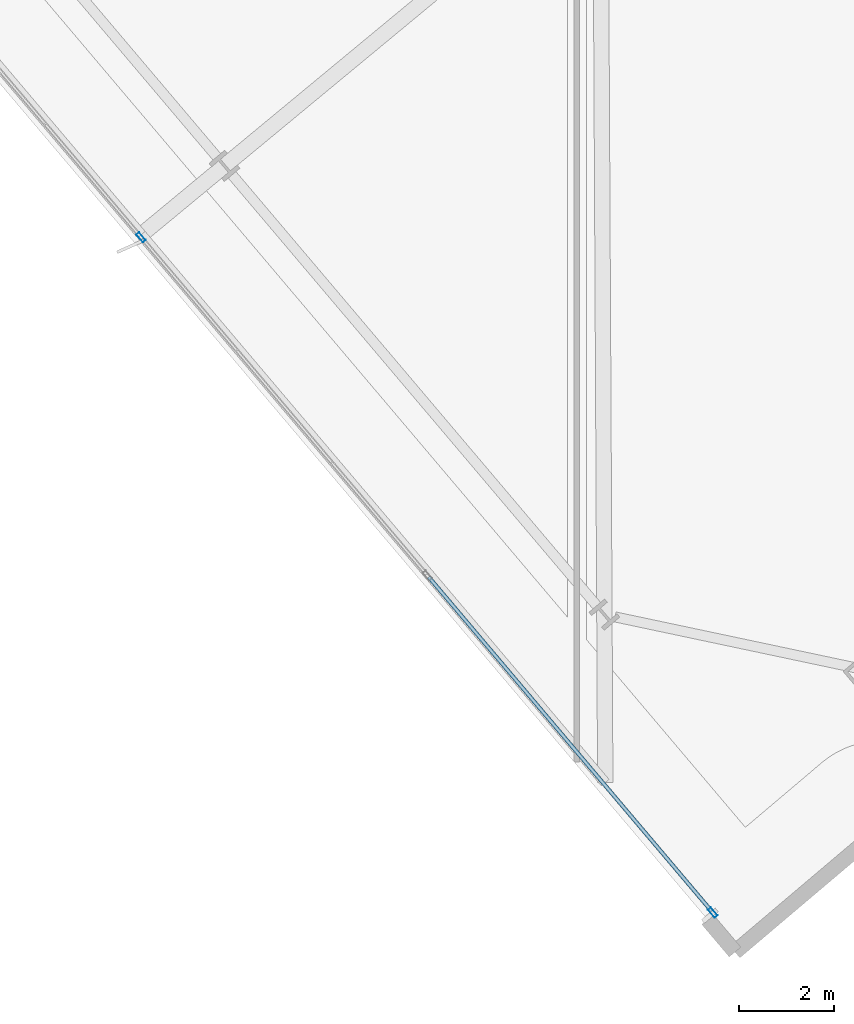
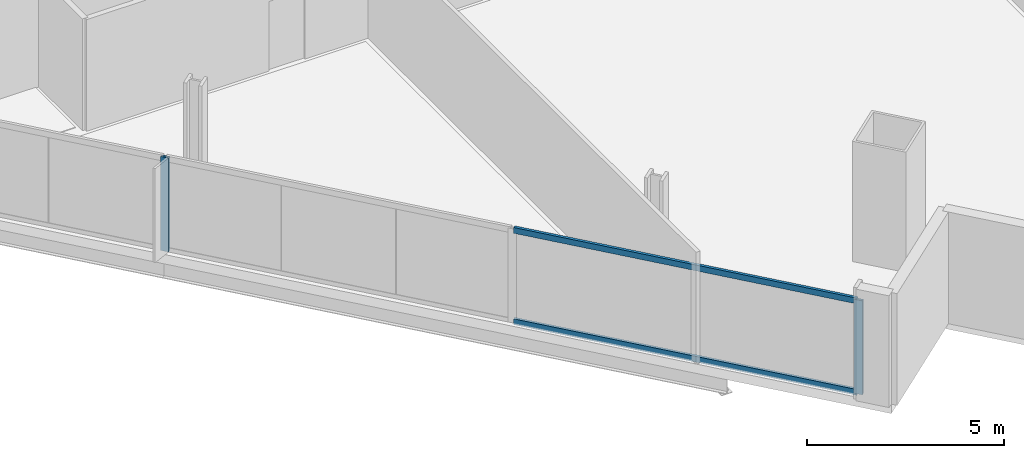
# One storey, part 2 of 34: 4 members, 1 element without a shape of its own.
"""IFC4 building model written with IfcOpenShell, lengths in metres."""

from ifc_helpers import new_model, si_unit, direction, frame, origin, origin_2d, place, context, subcontext, project, spatial, hollow_rectangle, extrude, material, material_profile, profile_set, type_object, element, aggregate, save


model = new_model("IFC4")

# Units and contexts
model_context = context("Model", 3, precision=1e-05, world=origin(), true_north=direction((0.0, 1.0)))
body_context = subcontext(model_context, "Body", "Model", "MODEL_VIEW")
ifc_project = project(units=[si_unit("LENGTHUNIT", "METRE"), si_unit("AREAUNIT", "SQUARE_METRE"), si_unit("VOLUMEUNIT", "CUBIC_METRE"), si_unit("PLANEANGLEUNIT", "RADIAN"), si_unit("MASSUNIT", "GRAM", prefix="KILO")], contexts=[model_context])

# Site, building, storey
site_placement = place(None, origin())
site = spatial("IfcSite", under=ifc_project, at=site_placement, CompositionType="ELEMENT")
building_placement = place(site_placement, origin())
building = spatial("IfcBuilding", under=site, at=building_placement, Name="Haldenkirk Collegiate Tower", CompositionType="ELEMENT")
storey_placement = place(building_placement, frame((0.0, 0.0, 163.199951171875)))
storey = spatial("IfcBuildingStorey", under=building, at=storey_placement, Name="L40", CompositionType="ELEMENT", Elevation=163.199951171875)

# Curtain wall, members
ifc_material = material(Name="Anodised architectural bronze aluminium", Category="aluminium")
curtain_wall_type = type_object("IfcCurtainWallType", Name="CW-SYS1-CONVEX-LOW", PredefinedType="USERDEFINED", material=ifc_material)
curtain_wall_placement = place(storey_placement, origin())
curtain_wall = element("IfcCurtainWall", 1, at=curtain_wall_placement, inside=storey, type_object=curtain_wall_type, Name="L40 Lower tower convex bronze-framed unitised curtain wall", ObjectType="UNITISED CURTAIN WALL", PredefinedType="USERDEFINED")
ifc_material_profile_1 = material_profile(ifc_material, hollow_rectangle(XDim=0.080078125, YDim=0.219970703125, WallThickness=0.0048828125, at=origin_2d()), Name="CW-MUL-1A")
ifc_profile_set_1 = profile_set([ifc_material_profile_1], Name="Anodised architectural bronze aluminium")
member_type_1 = type_object("IfcMemberType", Name="CW-MUL-1A", PredefinedType="MULLION", material=ifc_profile_set_1)
member_1_placement = place(storey_placement, frame((29.373046875, -4.353515625, 0.0), z_axis=(0.0, 0.0, 1.0), x_axis=(-0.763233122945, -0.646123208095, 0.0)))
member_1 = element("IfcMember", 2, at=member_1_placement, type_object=member_type_1, Name="CW-1A mullion 1", PredefinedType="MULLION", context=body_context, shape_type="SweptSolid", body=[
    extrude(hollow_rectangle(XDim=0.080078125, YDim=0.219970703125, WallThickness=0.0048828125, at=origin_2d()), origin(), (0.0, 0.0, 1.0), 2.9111328125),
])
member_2_placement = place(storey_placement, frame((17.292236328125, 9.9169921875, 0.0), z_axis=(0.0, 0.0, 1.0), x_axis=(-0.763233122945, -0.646123208095, 0.0)))
member_2 = element("IfcMember", 3, at=member_2_placement, type_object=member_type_1, Name="CW-1A mullion 3", PredefinedType="MULLION", context=body_context, shape_type="SweptSolid", body=[
    extrude(hollow_rectangle(XDim=0.080078125, YDim=0.219970703125, WallThickness=0.0048828125, at=origin_2d()), origin(), (0.0, 0.0, 1.0), 2.9111328125),
])
ifc_material_profile_2 = material_profile(ifc_material, hollow_rectangle(XDim=0.080078125, YDim=0.179931640625, WallThickness=0.0048828125, at=origin_2d()), Name="CW-TRN-1A")
ifc_profile_set_2 = profile_set([ifc_material_profile_2], Name="Anodised architectural bronze aluminium")
member_type_2 = type_object("IfcMemberType", Name="CW-TRN-1A", PredefinedType="USERDEFINED", material=ifc_profile_set_2)
member_3_placement = place(storey_placement, frame((29.347412109375, -4.322998046875, 0.0400390625), z_axis=(-0.646129188514, 0.763228060117, 0.0), x_axis=(-0.763228060117, -0.646129188514, 0.0)))
member_3 = element("IfcMember", 4, at=member_3_placement, type_object=member_type_2, Name="CW-1A transom 1.1", ObjectType="TRANSOM", PredefinedType="USERDEFINED", context=body_context, shape_type="SweptSolid", body=[
    extrude(hollow_rectangle(XDim=0.080078125, YDim=0.179931640625, WallThickness=0.0048828125, at=origin_2d()), origin(), (0.0, 0.0, 1.0), 9.248779296875),
])
member_4_placement = place(storey_placement, frame((29.347412109375, -4.322998046875, 2.87109375), z_axis=(-0.646129188514, 0.763228060117, 0.0), x_axis=(-0.763228060117, -0.646129188514, 0.0)))
member_4 = element("IfcMember", 5, at=member_4_placement, type_object=member_type_2, Name="CW-1A transom 1.2", ObjectType="TRANSOM", PredefinedType="USERDEFINED", context=body_context, shape_type="SweptSolid", body=[
    extrude(hollow_rectangle(XDim=0.080078125, YDim=0.179931640625, WallThickness=0.0048828125, at=origin_2d()), origin(), (0.0, 0.0, 1.0), 9.248779296875),
])
aggregate(curtain_wall, [member_1, member_2, member_3, member_4])

save(model, "model.ifc")
